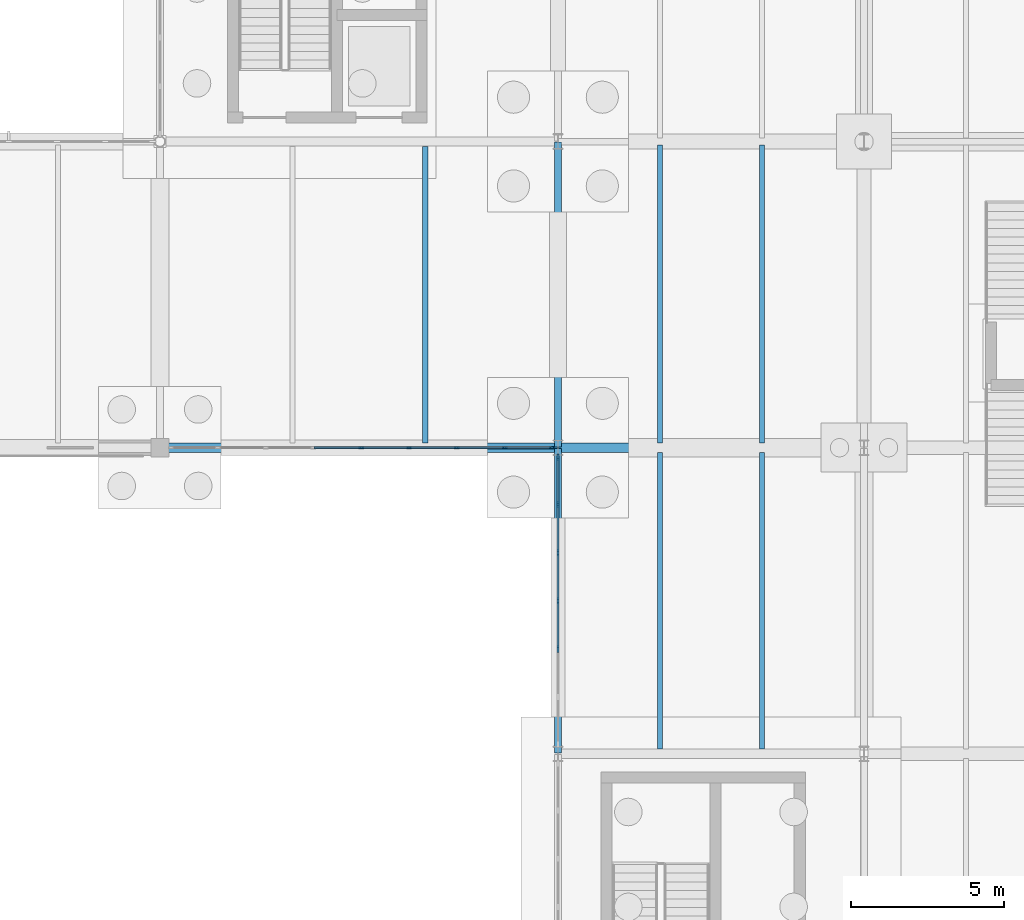
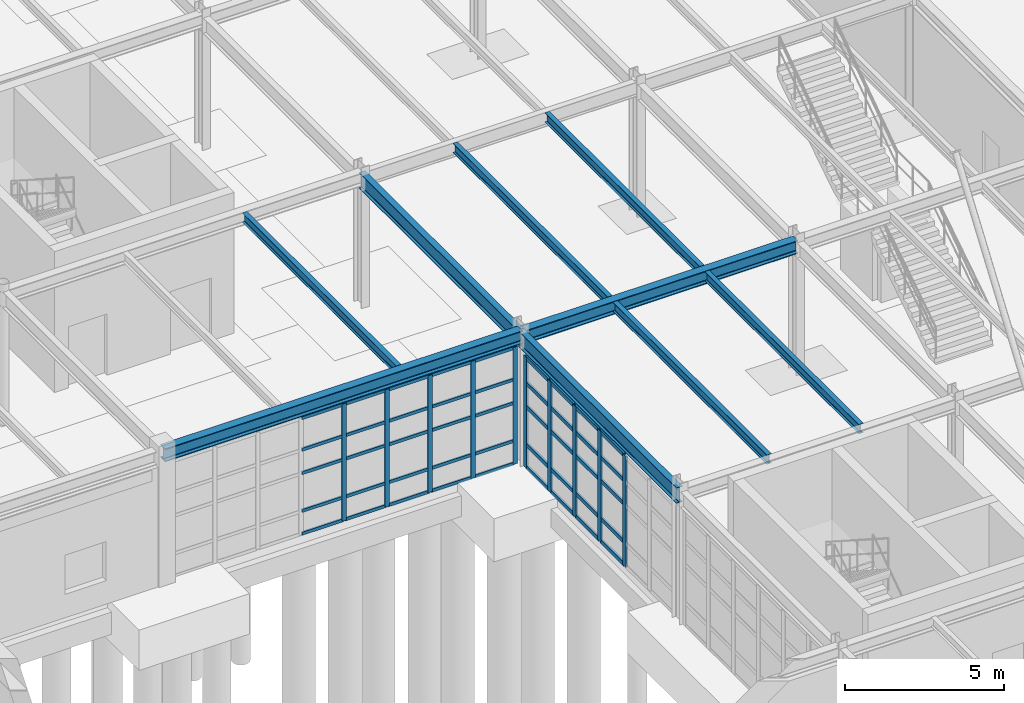
# One storey, part 50 of 145: 55 members, 9 beams, 2 elements without a shape of their own.
"""IFC4 building model written with IfcOpenShell, lengths in metres."""

from ifc_helpers import new_model, si_unit, direction, frame, origin, origin_2d, place, context, subcontext, project, spatial, rectangle, i_section, extrude, material, layer, layer_set, material_profile, profile_set, type_object, element, aggregate, save


model = new_model("IFC4")

# Units and contexts
model_context = context("Model", 3, precision=1e-05, world=origin(), true_north=direction((0.0, 1.0)))
body_context = subcontext(model_context, "Body", "Model", "MODEL_VIEW")
ifc_project = project(units=[si_unit("LENGTHUNIT", "METRE"), si_unit("AREAUNIT", "SQUARE_METRE"), si_unit("VOLUMEUNIT", "CUBIC_METRE"), si_unit("PLANEANGLEUNIT", "RADIAN"), si_unit("MASSUNIT", "GRAM", prefix="KILO"), si_unit("THERMODYNAMICTEMPERATUREUNIT", "KELVIN"), si_unit("POWERUNIT", "WATT")], contexts=[model_context])

# Site, building, storey
site_placement = place(None, origin())
site = spatial("IfcSite", under=ifc_project, at=site_placement, CompositionType="ELEMENT")
building_placement = place(site_placement, origin())
building = spatial("IfcBuilding", under=site, at=building_placement, Name="Korenveer Ferry Terminal", CompositionType="ELEMENT")
storey_placement = place(building_placement, origin())
storey = spatial("IfcBuildingStorey", under=building, at=storey_placement, Name="L00", CompositionType="ELEMENT", Elevation=0.0)

# Curtain wall, members
ifc_material_1 = material(Name="Unitised bronze-and-glass curtain wall", Category="glass")
ifc_layer_1 = layer(ifc_material_1, 0.159912109375)
ifc_layer_set_1 = layer_set([ifc_layer_1], Name="Unitised bronze-and-glass curtain wall")
curtain_wall_type_1 = type_object("IfcCurtainWallType", Name="ENV-CW-06", PredefinedType="USERDEFINED", material=ifc_layer_set_1)
curtain_wall_1_placement = place(storey_placement, frame((40.330078125, 70.0, 0.0)))
curtain_wall_1 = element("IfcCurtainWall", 1, at=curtain_wall_1_placement, inside=storey, type_object=curtain_wall_type_1, Name="Lancet curtain wall CWX-L00-X40-53-Y70-70", ObjectType="UNITISED CURTAIN WALL", PredefinedType="USERDEFINED")
ifc_material_2 = material(Name="Anodised bronze aluminium", Category="aluminium")
ifc_material_profile_1 = material_profile(ifc_material_2, rectangle(XDim=0.06005859375, YDim=0.159912109375, at=origin_2d()), Name="ALU 60x160")
ifc_profile_set_1 = profile_set([ifc_material_profile_1], Name="Anodised bronze aluminium")
member_type_1 = type_object("IfcMemberType", Name="ENV-CWM-60X160", PredefinedType="MULLION", material=ifc_profile_set_1)
member_1_placement = place(storey_placement, frame((46.574951171875, 70.0, 0.0), z_axis=(0.0, 0.0, 1.0), x_axis=(0.0, 1.0, 0.0)))
member_1 = element("IfcMember", 2, at=member_1_placement, type_object=member_type_1, Name="CW-06 mullion 5", PredefinedType="MULLION", context=body_context, shape_type="SweptSolid", body=[
    extrude(rectangle(XDim=0.06005859375, YDim=0.159912109375, at=origin_2d()), origin(), (0.0, 0.0, 1.0), 4.489990234375),
])
member_2_placement = place(storey_placement, frame((48.13623046875, 70.0, 0.0), z_axis=(0.0, 0.0, 1.0), x_axis=(0.0, 1.0, 0.0)))
member_2 = element("IfcMember", 3, at=member_2_placement, type_object=member_type_1, Name="CW-06 mullion 6", PredefinedType="MULLION", context=body_context, shape_type="SweptSolid", body=[
    extrude(rectangle(XDim=0.06005859375, YDim=0.159912109375, at=origin_2d()), origin(), (0.0, 0.0, 1.0), 4.489990234375),
])
member_3_placement = place(storey_placement, frame((49.697509765625, 70.0, 0.0), z_axis=(0.0, 0.0, 1.0), x_axis=(0.0, 1.0, 0.0)))
member_3 = element("IfcMember", 4, at=member_3_placement, type_object=member_type_1, Name="CW-06 mullion 7", PredefinedType="MULLION", context=body_context, shape_type="SweptSolid", body=[
    extrude(rectangle(XDim=0.06005859375, YDim=0.159912109375, at=origin_2d()), origin(), (0.0, 0.0, 1.0), 4.489990234375),
])
member_4_placement = place(storey_placement, frame((51.2587890625, 70.0, 0.0), z_axis=(0.0, 0.0, 1.0), x_axis=(0.0, 1.0, 0.0)))
member_4 = element("IfcMember", 5, at=member_4_placement, type_object=member_type_1, Name="CW-06 mullion 8", PredefinedType="MULLION", context=body_context, shape_type="SweptSolid", body=[
    extrude(rectangle(XDim=0.06005859375, YDim=0.159912109375, at=origin_2d()), origin(), (0.0, 0.0, 1.0), 4.489990234375),
])
member_5_placement = place(storey_placement, frame((52.7900390625, 70.0, 0.0), z_axis=(0.0, 0.0, 1.0), x_axis=(0.0, 1.0, 0.0)))
member_5 = element("IfcMember", 6, at=member_5_placement, type_object=member_type_1, Name="CW-06 mullion 9", PredefinedType="MULLION", context=body_context, shape_type="SweptSolid", body=[
    extrude(rectangle(XDim=0.06005859375, YDim=0.159912109375, at=origin_2d()), origin(), (0.0, 0.0, 1.0), 4.489990234375),
])

ifc_layer_2 = layer(ifc_material_1, 0.219970703125)
ifc_layer_set_2 = layer_set([ifc_layer_2], Name="Unitised bronze-and-glass curtain wall")
curtain_wall_type_2 = type_object("IfcCurtainWallType", Name="ENV-CW-27", PredefinedType="USERDEFINED", material=ifc_layer_set_2)
curtain_wall_2_placement = place(storey_placement, frame((53.0, 60.280029296875, 0.0)))
curtain_wall_2 = element("IfcCurtainWall", 7, at=curtain_wall_2_placement, inside=storey, type_object=curtain_wall_type_2, Name="Lancet curtain wall CWX-L00-X53-53-Y60-70", ObjectType="UNITISED CURTAIN WALL", PredefinedType="USERDEFINED")
ifc_material_profile_2 = material_profile(ifc_material_2, rectangle(XDim=0.074951171875, YDim=0.219970703125, at=origin_2d()), Name="ALU 75x220")
ifc_profile_set_2 = profile_set([ifc_material_profile_2], Name="Anodised bronze aluminium")
member_type_2 = type_object("IfcMemberType", Name="ENV-CWM-75X220", PredefinedType="MULLION", material=ifc_profile_set_2)
member_6_placement = place(storey_placement, frame((53.0, 63.4267578125, 0.0), z_axis=(0.0, 0.0, 1.0), x_axis=(-1.0, 0.0, 0.0)))
member_6 = element("IfcMember", 8, at=member_6_placement, type_object=member_type_2, Name="CW-27 mullion 3", PredefinedType="MULLION", context=body_context, shape_type="SweptSolid", body=[
    extrude(rectangle(XDim=0.074951171875, YDim=0.219970703125, at=origin_2d()), origin(), (0.0, 0.0, 1.0), 4.25),
])
member_7_placement = place(storey_placement, frame((53.0, 65.0, 0.0), z_axis=(0.0, 0.0, 1.0), x_axis=(-1.0, 0.0, 0.0)))
member_7 = element("IfcMember", 9, at=member_7_placement, type_object=member_type_2, Name="CW-27 mullion 4", PredefinedType="MULLION", context=body_context, shape_type="SweptSolid", body=[
    extrude(rectangle(XDim=0.074951171875, YDim=0.219970703125, at=origin_2d()), origin(), (0.0, 0.0, 1.0), 4.25),
])
member_8_placement = place(storey_placement, frame((53.0, 66.5732421875, 0.0), z_axis=(0.0, 0.0, 1.0), x_axis=(-1.0, 0.0, 0.0)))
member_8 = element("IfcMember", 10, at=member_8_placement, type_object=member_type_2, Name="CW-27 mullion 5", PredefinedType="MULLION", context=body_context, shape_type="SweptSolid", body=[
    extrude(rectangle(XDim=0.074951171875, YDim=0.219970703125, at=origin_2d()), origin(), (0.0, 0.0, 1.0), 4.25),
])
member_9_placement = place(storey_placement, frame((53.0, 68.146728515625, 0.0), z_axis=(0.0, 0.0, 1.0), x_axis=(-1.0, 0.0, 0.0)))
member_9 = element("IfcMember", 11, at=member_9_placement, type_object=member_type_2, Name="CW-27 mullion 6", PredefinedType="MULLION", context=body_context, shape_type="SweptSolid", body=[
    extrude(rectangle(XDim=0.074951171875, YDim=0.219970703125, at=origin_2d()), origin(), (0.0, 0.0, 1.0), 4.25),
])
member_10_placement = place(storey_placement, frame((53.0, 69.6826171875, 0.0), z_axis=(0.0, 0.0, 1.0), x_axis=(-1.0, 0.0, 0.0)))
member_10 = element("IfcMember", 12, at=member_10_placement, type_object=member_type_2, Name="CW-27 mullion 7", PredefinedType="MULLION", context=body_context, shape_type="SweptSolid", body=[
    extrude(rectangle(XDim=0.074951171875, YDim=0.219970703125, at=origin_2d()), origin(), (0.0, 0.0, 1.0), 4.25),
])

# Member
ifc_material_profile_3 = material_profile(ifc_material_2, rectangle(XDim=0.06005859375, YDim=0.1201171875, at=origin_2d()), Name="ALU 60x120")
ifc_profile_set_3 = profile_set([ifc_material_profile_3], Name="Anodised bronze aluminium")
member_type_3 = type_object("IfcMemberType", Name="ENV-CWT-60X120", PredefinedType="USERDEFINED", material=ifc_profile_set_3)
member_11_placement = place(storey_placement, frame((45.043701171875, 70.0, 0.030029296875), z_axis=(1.0, 0.0, 0.0), x_axis=(0.0, 1.0, 0.0)))
member_11 = element("IfcMember", 13, at=member_11_placement, type_object=member_type_3, Name="CW-06 transom 4.1", ObjectType="TRANSOM", PredefinedType="USERDEFINED", context=body_context, shape_type="SweptSolid", body=[
    extrude(rectangle(XDim=0.06005859375, YDim=0.1201171875, at=origin_2d()), origin(), (0.0, 0.0, 1.0), 1.501220703125),
])

member_12_placement = place(storey_placement, frame((45.043701171875, 70.0, 0.89990234375), z_axis=(1.0, 0.0, 0.0), x_axis=(0.0, 1.0, 0.0)))
member_12 = element("IfcMember", 14, at=member_12_placement, type_object=member_type_3, Name="CW-06 transom 4.2", ObjectType="TRANSOM", PredefinedType="USERDEFINED", context=body_context, shape_type="SweptSolid", body=[
    extrude(rectangle(XDim=0.06005859375, YDim=0.1201171875, at=origin_2d()), origin(), (0.0, 0.0, 1.0), 1.501220703125),
])

member_13_placement = place(storey_placement, frame((45.043701171875, 70.0, 2.35009765625), z_axis=(1.0, 0.0, 0.0), x_axis=(0.0, 1.0, 0.0)))
member_13 = element("IfcMember", 15, at=member_13_placement, type_object=member_type_3, Name="CW-06 transom 4.3", ObjectType="TRANSOM", PredefinedType="USERDEFINED", context=body_context, shape_type="SweptSolid", body=[
    extrude(rectangle(XDim=0.06005859375, YDim=0.1201171875, at=origin_2d()), origin(), (0.0, 0.0, 1.0), 1.501220703125),
])

member_14_placement = place(storey_placement, frame((45.043701171875, 70.0, 3.25), z_axis=(1.0, 0.0, 0.0), x_axis=(0.0, 1.0, 0.0)))
member_14 = element("IfcMember", 16, at=member_14_placement, type_object=member_type_3, Name="CW-06 transom 4.4", ObjectType="TRANSOM", PredefinedType="USERDEFINED", context=body_context, shape_type="SweptSolid", body=[
    extrude(rectangle(XDim=0.06005859375, YDim=0.1201171875, at=origin_2d()), origin(), (0.0, 0.0, 1.0), 1.501220703125),
])

member_15_placement = place(storey_placement, frame((45.043701171875, 70.0, 4.4599609375), z_axis=(1.0, 0.0, 0.0), x_axis=(0.0, 1.0, 0.0)))
member_15 = element("IfcMember", 17, at=member_15_placement, type_object=member_type_3, Name="CW-06 transom 4.5", ObjectType="TRANSOM", PredefinedType="USERDEFINED", context=body_context, shape_type="SweptSolid", body=[
    extrude(rectangle(XDim=0.06005859375, YDim=0.1201171875, at=origin_2d()), origin(), (0.0, 0.0, 1.0), 1.501220703125),
])

member_16_placement = place(storey_placement, frame((46.60498046875, 70.0, 0.030029296875), z_axis=(1.0, 0.0, 0.0), x_axis=(0.0, 1.0, 0.0)))
member_16 = element("IfcMember", 18, at=member_16_placement, type_object=member_type_3, Name="CW-06 transom 5.1", ObjectType="TRANSOM", PredefinedType="USERDEFINED", context=body_context, shape_type="SweptSolid", body=[
    extrude(rectangle(XDim=0.06005859375, YDim=0.1201171875, at=origin_2d()), origin(), (0.0, 0.0, 1.0), 1.501220703125),
])

member_17_placement = place(storey_placement, frame((46.60498046875, 70.0, 0.89990234375), z_axis=(1.0, 0.0, 0.0), x_axis=(0.0, 1.0, 0.0)))
member_17 = element("IfcMember", 19, at=member_17_placement, type_object=member_type_3, Name="CW-06 transom 5.2", ObjectType="TRANSOM", PredefinedType="USERDEFINED", context=body_context, shape_type="SweptSolid", body=[
    extrude(rectangle(XDim=0.06005859375, YDim=0.1201171875, at=origin_2d()), origin(), (0.0, 0.0, 1.0), 1.501220703125),
])

member_18_placement = place(storey_placement, frame((46.60498046875, 70.0, 2.35009765625), z_axis=(1.0, 0.0, 0.0), x_axis=(0.0, 1.0, 0.0)))
member_18 = element("IfcMember", 20, at=member_18_placement, type_object=member_type_3, Name="CW-06 transom 5.3", ObjectType="TRANSOM", PredefinedType="USERDEFINED", context=body_context, shape_type="SweptSolid", body=[
    extrude(rectangle(XDim=0.06005859375, YDim=0.1201171875, at=origin_2d()), origin(), (0.0, 0.0, 1.0), 1.501220703125),
])

member_19_placement = place(storey_placement, frame((46.60498046875, 70.0, 3.25), z_axis=(1.0, 0.0, 0.0), x_axis=(0.0, 1.0, 0.0)))
member_19 = element("IfcMember", 21, at=member_19_placement, type_object=member_type_3, Name="CW-06 transom 5.4", ObjectType="TRANSOM", PredefinedType="USERDEFINED", context=body_context, shape_type="SweptSolid", body=[
    extrude(rectangle(XDim=0.06005859375, YDim=0.1201171875, at=origin_2d()), origin(), (0.0, 0.0, 1.0), 1.501220703125),
])

member_20_placement = place(storey_placement, frame((46.60498046875, 70.0, 4.4599609375), z_axis=(1.0, 0.0, 0.0), x_axis=(0.0, 1.0, 0.0)))
member_20 = element("IfcMember", 22, at=member_20_placement, type_object=member_type_3, Name="CW-06 transom 5.5", ObjectType="TRANSOM", PredefinedType="USERDEFINED", context=body_context, shape_type="SweptSolid", body=[
    extrude(rectangle(XDim=0.06005859375, YDim=0.1201171875, at=origin_2d()), origin(), (0.0, 0.0, 1.0), 1.501220703125),
])

member_21_placement = place(storey_placement, frame((48.166259765625, 70.0, 0.030029296875), z_axis=(1.0, 0.0, 0.0), x_axis=(0.0, 1.0, 0.0)))
member_21 = element("IfcMember", 23, at=member_21_placement, type_object=member_type_3, Name="CW-06 transom 6.1", ObjectType="TRANSOM", PredefinedType="USERDEFINED", context=body_context, shape_type="SweptSolid", body=[
    extrude(rectangle(XDim=0.06005859375, YDim=0.1201171875, at=origin_2d()), origin(), (0.0, 0.0, 1.0), 1.501220703125),
])

member_22_placement = place(storey_placement, frame((48.166259765625, 70.0, 0.89990234375), z_axis=(1.0, 0.0, 0.0), x_axis=(0.0, 1.0, 0.0)))
member_22 = element("IfcMember", 24, at=member_22_placement, type_object=member_type_3, Name="CW-06 transom 6.2", ObjectType="TRANSOM", PredefinedType="USERDEFINED", context=body_context, shape_type="SweptSolid", body=[
    extrude(rectangle(XDim=0.06005859375, YDim=0.1201171875, at=origin_2d()), origin(), (0.0, 0.0, 1.0), 1.501220703125),
])

member_23_placement = place(storey_placement, frame((48.166259765625, 70.0, 2.35009765625), z_axis=(1.0, 0.0, 0.0), x_axis=(0.0, 1.0, 0.0)))
member_23 = element("IfcMember", 25, at=member_23_placement, type_object=member_type_3, Name="CW-06 transom 6.3", ObjectType="TRANSOM", PredefinedType="USERDEFINED", context=body_context, shape_type="SweptSolid", body=[
    extrude(rectangle(XDim=0.06005859375, YDim=0.1201171875, at=origin_2d()), origin(), (0.0, 0.0, 1.0), 1.501220703125),
])

member_24_placement = place(storey_placement, frame((48.166259765625, 70.0, 3.25), z_axis=(1.0, 0.0, 0.0), x_axis=(0.0, 1.0, 0.0)))
member_24 = element("IfcMember", 26, at=member_24_placement, type_object=member_type_3, Name="CW-06 transom 6.4", ObjectType="TRANSOM", PredefinedType="USERDEFINED", context=body_context, shape_type="SweptSolid", body=[
    extrude(rectangle(XDim=0.06005859375, YDim=0.1201171875, at=origin_2d()), origin(), (0.0, 0.0, 1.0), 1.501220703125),
])

member_25_placement = place(storey_placement, frame((48.166259765625, 70.0, 4.4599609375), z_axis=(1.0, 0.0, 0.0), x_axis=(0.0, 1.0, 0.0)))
member_25 = element("IfcMember", 27, at=member_25_placement, type_object=member_type_3, Name="CW-06 transom 6.5", ObjectType="TRANSOM", PredefinedType="USERDEFINED", context=body_context, shape_type="SweptSolid", body=[
    extrude(rectangle(XDim=0.06005859375, YDim=0.1201171875, at=origin_2d()), origin(), (0.0, 0.0, 1.0), 1.501220703125),
])

member_26_placement = place(storey_placement, frame((49.7275390625, 70.0, 0.030029296875), z_axis=(1.0, 0.0, 0.0), x_axis=(0.0, 1.0, 0.0)))
member_26 = element("IfcMember", 28, at=member_26_placement, type_object=member_type_3, Name="CW-06 transom 7.1", ObjectType="TRANSOM", PredefinedType="USERDEFINED", context=body_context, shape_type="SweptSolid", body=[
    extrude(rectangle(XDim=0.06005859375, YDim=0.1201171875, at=origin_2d()), origin(), (0.0, 0.0, 1.0), 1.501220703125),
])

member_27_placement = place(storey_placement, frame((49.7275390625, 70.0, 0.89990234375), z_axis=(1.0, 0.0, 0.0), x_axis=(0.0, 1.0, 0.0)))
member_27 = element("IfcMember", 29, at=member_27_placement, type_object=member_type_3, Name="CW-06 transom 7.2", ObjectType="TRANSOM", PredefinedType="USERDEFINED", context=body_context, shape_type="SweptSolid", body=[
    extrude(rectangle(XDim=0.06005859375, YDim=0.1201171875, at=origin_2d()), origin(), (0.0, 0.0, 1.0), 1.501220703125),
])

member_28_placement = place(storey_placement, frame((49.7275390625, 70.0, 2.35009765625), z_axis=(1.0, 0.0, 0.0), x_axis=(0.0, 1.0, 0.0)))
member_28 = element("IfcMember", 30, at=member_28_placement, type_object=member_type_3, Name="CW-06 transom 7.3", ObjectType="TRANSOM", PredefinedType="USERDEFINED", context=body_context, shape_type="SweptSolid", body=[
    extrude(rectangle(XDim=0.06005859375, YDim=0.1201171875, at=origin_2d()), origin(), (0.0, 0.0, 1.0), 1.501220703125),
])

member_29_placement = place(storey_placement, frame((49.7275390625, 70.0, 3.25), z_axis=(1.0, 0.0, 0.0), x_axis=(0.0, 1.0, 0.0)))
member_29 = element("IfcMember", 31, at=member_29_placement, type_object=member_type_3, Name="CW-06 transom 7.4", ObjectType="TRANSOM", PredefinedType="USERDEFINED", context=body_context, shape_type="SweptSolid", body=[
    extrude(rectangle(XDim=0.06005859375, YDim=0.1201171875, at=origin_2d()), origin(), (0.0, 0.0, 1.0), 1.501220703125),
])

member_30_placement = place(storey_placement, frame((49.7275390625, 70.0, 4.4599609375), z_axis=(1.0, 0.0, 0.0), x_axis=(0.0, 1.0, 0.0)))
member_30 = element("IfcMember", 32, at=member_30_placement, type_object=member_type_3, Name="CW-06 transom 7.5", ObjectType="TRANSOM", PredefinedType="USERDEFINED", context=body_context, shape_type="SweptSolid", body=[
    extrude(rectangle(XDim=0.06005859375, YDim=0.1201171875, at=origin_2d()), origin(), (0.0, 0.0, 1.0), 1.501220703125),
])

member_31_placement = place(storey_placement, frame((51.288818359375, 70.0, 0.030029296875), z_axis=(1.0, 0.0, 0.0), x_axis=(0.0, 1.0, 0.0)))
member_31 = element("IfcMember", 33, at=member_31_placement, type_object=member_type_3, Name="CW-06 transom 8.1", ObjectType="TRANSOM", PredefinedType="USERDEFINED", context=body_context, shape_type="SweptSolid", body=[
    extrude(rectangle(XDim=0.06005859375, YDim=0.1201171875, at=origin_2d()), origin(), (0.0, 0.0, 1.0), 1.47119140625),
])

member_32_placement = place(storey_placement, frame((51.288818359375, 70.0, 0.89990234375), z_axis=(1.0, 0.0, 0.0), x_axis=(0.0, 1.0, 0.0)))
member_32 = element("IfcMember", 34, at=member_32_placement, type_object=member_type_3, Name="CW-06 transom 8.2", ObjectType="TRANSOM", PredefinedType="USERDEFINED", context=body_context, shape_type="SweptSolid", body=[
    extrude(rectangle(XDim=0.06005859375, YDim=0.1201171875, at=origin_2d()), origin(), (0.0, 0.0, 1.0), 1.47119140625),
])

member_33_placement = place(storey_placement, frame((51.288818359375, 70.0, 2.35009765625), z_axis=(1.0, 0.0, 0.0), x_axis=(0.0, 1.0, 0.0)))
member_33 = element("IfcMember", 35, at=member_33_placement, type_object=member_type_3, Name="CW-06 transom 8.3", ObjectType="TRANSOM", PredefinedType="USERDEFINED", context=body_context, shape_type="SweptSolid", body=[
    extrude(rectangle(XDim=0.06005859375, YDim=0.1201171875, at=origin_2d()), origin(), (0.0, 0.0, 1.0), 1.47119140625),
])

member_34_placement = place(storey_placement, frame((51.288818359375, 70.0, 3.25), z_axis=(1.0, 0.0, 0.0), x_axis=(0.0, 1.0, 0.0)))
member_34 = element("IfcMember", 36, at=member_34_placement, type_object=member_type_3, Name="CW-06 transom 8.4", ObjectType="TRANSOM", PredefinedType="USERDEFINED", context=body_context, shape_type="SweptSolid", body=[
    extrude(rectangle(XDim=0.06005859375, YDim=0.1201171875, at=origin_2d()), origin(), (0.0, 0.0, 1.0), 1.47119140625),
])

member_35_placement = place(storey_placement, frame((51.288818359375, 70.0, 4.4599609375), z_axis=(1.0, 0.0, 0.0), x_axis=(0.0, 1.0, 0.0)))
member_35 = element("IfcMember", 37, at=member_35_placement, type_object=member_type_3, Name="CW-06 transom 8.5", ObjectType="TRANSOM", PredefinedType="USERDEFINED", context=body_context, shape_type="SweptSolid", body=[
    extrude(rectangle(XDim=0.06005859375, YDim=0.1201171875, at=origin_2d()), origin(), (0.0, 0.0, 1.0), 1.47119140625),
])

aggregate(curtain_wall_1, [member_1, member_2, member_3, member_4, member_5, member_11, member_12, member_13, member_14, member_15, member_16, member_17, member_18, member_19, member_20, member_21, member_22, member_23, member_24, member_25, member_26, member_27, member_28, member_29, member_30, member_31, member_32, member_33, member_34, member_35])

ifc_material_profile_4 = material_profile(ifc_material_2, rectangle(XDim=0.074951171875, YDim=0.14990234375, at=origin_2d()), Name="ALU 75x150")
ifc_profile_set_4 = profile_set([ifc_material_profile_4], Name="Anodised bronze aluminium")
member_type_4 = type_object("IfcMemberType", Name="ENV-CWT-75X150", PredefinedType="USERDEFINED", material=ifc_profile_set_4)
member_36_placement = place(storey_placement, frame((53.0, 63.464111328125, 0.03759765625), z_axis=(0.0, 1.0, 0.0), x_axis=(-1.0, 0.0, 0.0)))
member_36 = element("IfcMember", 38, at=member_36_placement, type_object=member_type_4, Name="CW-27 transom 3.1", ObjectType="TRANSOM", PredefinedType="USERDEFINED", context=body_context, shape_type="SweptSolid", body=[
    extrude(rectangle(XDim=0.074951171875, YDim=0.14990234375, at=origin_2d()), origin(), (0.0, 0.0, 1.0), 1.498291015625),
])

member_37_placement = place(storey_placement, frame((53.0, 63.464111328125, 0.89990234375), z_axis=(0.0, 1.0, 0.0), x_axis=(-1.0, 0.0, 0.0)))
member_37 = element("IfcMember", 39, at=member_37_placement, type_object=member_type_4, Name="CW-27 transom 3.2", ObjectType="TRANSOM", PredefinedType="USERDEFINED", context=body_context, shape_type="SweptSolid", body=[
    extrude(rectangle(XDim=0.074951171875, YDim=0.14990234375, at=origin_2d()), origin(), (0.0, 0.0, 1.0), 1.498291015625),
])

member_38_placement = place(storey_placement, frame((53.0, 63.464111328125, 2.35009765625), z_axis=(0.0, 1.0, 0.0), x_axis=(-1.0, 0.0, 0.0)))
member_38 = element("IfcMember", 40, at=member_38_placement, type_object=member_type_4, Name="CW-27 transom 3.3", ObjectType="TRANSOM", PredefinedType="USERDEFINED", context=body_context, shape_type="SweptSolid", body=[
    extrude(rectangle(XDim=0.074951171875, YDim=0.14990234375, at=origin_2d()), origin(), (0.0, 0.0, 1.0), 1.498291015625),
])

member_39_placement = place(storey_placement, frame((53.0, 63.464111328125, 3.25), z_axis=(0.0, 1.0, 0.0), x_axis=(-1.0, 0.0, 0.0)))
member_39 = element("IfcMember", 41, at=member_39_placement, type_object=member_type_4, Name="CW-27 transom 3.4", ObjectType="TRANSOM", PredefinedType="USERDEFINED", context=body_context, shape_type="SweptSolid", body=[
    extrude(rectangle(XDim=0.074951171875, YDim=0.14990234375, at=origin_2d()), origin(), (0.0, 0.0, 1.0), 1.498291015625),
])

member_40_placement = place(storey_placement, frame((53.0, 63.464111328125, 4.21240234375), z_axis=(0.0, 1.0, 0.0), x_axis=(-1.0, 0.0, 0.0)))
member_40 = element("IfcMember", 42, at=member_40_placement, type_object=member_type_4, Name="CW-27 transom 3.5", ObjectType="TRANSOM", PredefinedType="USERDEFINED", context=body_context, shape_type="SweptSolid", body=[
    extrude(rectangle(XDim=0.074951171875, YDim=0.14990234375, at=origin_2d()), origin(), (0.0, 0.0, 1.0), 1.498291015625),
])

member_41_placement = place(storey_placement, frame((53.0, 65.03759765625, 0.03759765625), z_axis=(0.0, 1.0, 0.0), x_axis=(-1.0, 0.0, 0.0)))
member_41 = element("IfcMember", 43, at=member_41_placement, type_object=member_type_4, Name="CW-27 transom 4.1", ObjectType="TRANSOM", PredefinedType="USERDEFINED", context=body_context, shape_type="SweptSolid", body=[
    extrude(rectangle(XDim=0.074951171875, YDim=0.14990234375, at=origin_2d()), origin(), (0.0, 0.0, 1.0), 1.498291015625),
])

member_42_placement = place(storey_placement, frame((53.0, 65.03759765625, 0.89990234375), z_axis=(0.0, 1.0, 0.0), x_axis=(-1.0, 0.0, 0.0)))
member_42 = element("IfcMember", 44, at=member_42_placement, type_object=member_type_4, Name="CW-27 transom 4.2", ObjectType="TRANSOM", PredefinedType="USERDEFINED", context=body_context, shape_type="SweptSolid", body=[
    extrude(rectangle(XDim=0.074951171875, YDim=0.14990234375, at=origin_2d()), origin(), (0.0, 0.0, 1.0), 1.498291015625),
])

member_43_placement = place(storey_placement, frame((53.0, 65.03759765625, 2.35009765625), z_axis=(0.0, 1.0, 0.0), x_axis=(-1.0, 0.0, 0.0)))
member_43 = element("IfcMember", 45, at=member_43_placement, type_object=member_type_4, Name="CW-27 transom 4.3", ObjectType="TRANSOM", PredefinedType="USERDEFINED", context=body_context, shape_type="SweptSolid", body=[
    extrude(rectangle(XDim=0.074951171875, YDim=0.14990234375, at=origin_2d()), origin(), (0.0, 0.0, 1.0), 1.498291015625),
])

member_44_placement = place(storey_placement, frame((53.0, 65.03759765625, 3.25), z_axis=(0.0, 1.0, 0.0), x_axis=(-1.0, 0.0, 0.0)))
member_44 = element("IfcMember", 46, at=member_44_placement, type_object=member_type_4, Name="CW-27 transom 4.4", ObjectType="TRANSOM", PredefinedType="USERDEFINED", context=body_context, shape_type="SweptSolid", body=[
    extrude(rectangle(XDim=0.074951171875, YDim=0.14990234375, at=origin_2d()), origin(), (0.0, 0.0, 1.0), 1.498291015625),
])

member_45_placement = place(storey_placement, frame((53.0, 65.03759765625, 4.21240234375), z_axis=(0.0, 1.0, 0.0), x_axis=(-1.0, 0.0, 0.0)))
member_45 = element("IfcMember", 47, at=member_45_placement, type_object=member_type_4, Name="CW-27 transom 4.5", ObjectType="TRANSOM", PredefinedType="USERDEFINED", context=body_context, shape_type="SweptSolid", body=[
    extrude(rectangle(XDim=0.074951171875, YDim=0.14990234375, at=origin_2d()), origin(), (0.0, 0.0, 1.0), 1.498291015625),
])

member_46_placement = place(storey_placement, frame((53.0, 66.61083984375, 0.03759765625), z_axis=(0.0, 1.0, 0.0), x_axis=(-1.0, 0.0, 0.0)))
member_46 = element("IfcMember", 48, at=member_46_placement, type_object=member_type_4, Name="CW-27 transom 5.1", ObjectType="TRANSOM", PredefinedType="USERDEFINED", context=body_context, shape_type="SweptSolid", body=[
    extrude(rectangle(XDim=0.074951171875, YDim=0.14990234375, at=origin_2d()), origin(), (0.0, 0.0, 1.0), 1.498291015625),
])

member_47_placement = place(storey_placement, frame((53.0, 66.61083984375, 0.89990234375), z_axis=(0.0, 1.0, 0.0), x_axis=(-1.0, 0.0, 0.0)))
member_47 = element("IfcMember", 49, at=member_47_placement, type_object=member_type_4, Name="CW-27 transom 5.2", ObjectType="TRANSOM", PredefinedType="USERDEFINED", context=body_context, shape_type="SweptSolid", body=[
    extrude(rectangle(XDim=0.074951171875, YDim=0.14990234375, at=origin_2d()), origin(), (0.0, 0.0, 1.0), 1.498291015625),
])

member_48_placement = place(storey_placement, frame((53.0, 66.61083984375, 2.35009765625), z_axis=(0.0, 1.0, 0.0), x_axis=(-1.0, 0.0, 0.0)))
member_48 = element("IfcMember", 50, at=member_48_placement, type_object=member_type_4, Name="CW-27 transom 5.3", ObjectType="TRANSOM", PredefinedType="USERDEFINED", context=body_context, shape_type="SweptSolid", body=[
    extrude(rectangle(XDim=0.074951171875, YDim=0.14990234375, at=origin_2d()), origin(), (0.0, 0.0, 1.0), 1.498291015625),
])

member_49_placement = place(storey_placement, frame((53.0, 66.61083984375, 3.25), z_axis=(0.0, 1.0, 0.0), x_axis=(-1.0, 0.0, 0.0)))
member_49 = element("IfcMember", 51, at=member_49_placement, type_object=member_type_4, Name="CW-27 transom 5.4", ObjectType="TRANSOM", PredefinedType="USERDEFINED", context=body_context, shape_type="SweptSolid", body=[
    extrude(rectangle(XDim=0.074951171875, YDim=0.14990234375, at=origin_2d()), origin(), (0.0, 0.0, 1.0), 1.498291015625),
])

member_50_placement = place(storey_placement, frame((53.0, 66.61083984375, 4.21240234375), z_axis=(0.0, 1.0, 0.0), x_axis=(-1.0, 0.0, 0.0)))
member_50 = element("IfcMember", 52, at=member_50_placement, type_object=member_type_4, Name="CW-27 transom 5.5", ObjectType="TRANSOM", PredefinedType="USERDEFINED", context=body_context, shape_type="SweptSolid", body=[
    extrude(rectangle(XDim=0.074951171875, YDim=0.14990234375, at=origin_2d()), origin(), (0.0, 0.0, 1.0), 1.498291015625),
])

member_51_placement = place(storey_placement, frame((53.0, 68.18408203125, 0.03759765625), z_axis=(0.0, 1.0, 0.0), x_axis=(-1.0, 0.0, 0.0)))
member_51 = element("IfcMember", 53, at=member_51_placement, type_object=member_type_4, Name="CW-27 transom 6.1", ObjectType="TRANSOM", PredefinedType="USERDEFINED", context=body_context, shape_type="SweptSolid", body=[
    extrude(rectangle(XDim=0.074951171875, YDim=0.14990234375, at=origin_2d()), origin(), (0.0, 0.0, 1.0), 1.4609375),
])

member_52_placement = place(storey_placement, frame((53.0, 68.18408203125, 0.89990234375), z_axis=(0.0, 1.0, 0.0), x_axis=(-1.0, 0.0, 0.0)))
member_52 = element("IfcMember", 54, at=member_52_placement, type_object=member_type_4, Name="CW-27 transom 6.2", ObjectType="TRANSOM", PredefinedType="USERDEFINED", context=body_context, shape_type="SweptSolid", body=[
    extrude(rectangle(XDim=0.074951171875, YDim=0.14990234375, at=origin_2d()), origin(), (0.0, 0.0, 1.0), 1.4609375),
])

member_53_placement = place(storey_placement, frame((53.0, 68.18408203125, 2.35009765625), z_axis=(0.0, 1.0, 0.0), x_axis=(-1.0, 0.0, 0.0)))
member_53 = element("IfcMember", 55, at=member_53_placement, type_object=member_type_4, Name="CW-27 transom 6.3", ObjectType="TRANSOM", PredefinedType="USERDEFINED", context=body_context, shape_type="SweptSolid", body=[
    extrude(rectangle(XDim=0.074951171875, YDim=0.14990234375, at=origin_2d()), origin(), (0.0, 0.0, 1.0), 1.4609375),
])

member_54_placement = place(storey_placement, frame((53.0, 68.18408203125, 3.25), z_axis=(0.0, 1.0, 0.0), x_axis=(-1.0, 0.0, 0.0)))
member_54 = element("IfcMember", 56, at=member_54_placement, type_object=member_type_4, Name="CW-27 transom 6.4", ObjectType="TRANSOM", PredefinedType="USERDEFINED", context=body_context, shape_type="SweptSolid", body=[
    extrude(rectangle(XDim=0.074951171875, YDim=0.14990234375, at=origin_2d()), origin(), (0.0, 0.0, 1.0), 1.4609375),
])

member_55_placement = place(storey_placement, frame((53.0, 68.18408203125, 4.21240234375), z_axis=(0.0, 1.0, 0.0), x_axis=(-1.0, 0.0, 0.0)))
member_55 = element("IfcMember", 57, at=member_55_placement, type_object=member_type_4, Name="CW-27 transom 6.5", ObjectType="TRANSOM", PredefinedType="USERDEFINED", context=body_context, shape_type="SweptSolid", body=[
    extrude(rectangle(XDim=0.074951171875, YDim=0.14990234375, at=origin_2d()), origin(), (0.0, 0.0, 1.0), 1.4609375),
])

aggregate(curtain_wall_2, [member_6, member_7, member_8, member_9, member_10, member_36, member_37, member_38, member_39, member_40, member_41, member_42, member_43, member_44, member_45, member_46, member_47, member_48, member_49, member_50, member_51, member_52, member_53, member_54, member_55])

# Beams
ifc_material_3 = material(Name="Steel S355", Category="steel")
ifc_material_profile_5 = material_profile(ifc_material_3, i_section(OverallWidth=0.300048828125, OverallDepth=0.5, WebThickness=0.014404296875, FlangeThickness=0.028076171875, FilletRadius=0.027099609375, at=origin_2d()), Name="HEB 500")
ifc_profile_set_5 = profile_set([ifc_material_profile_5], Name="Steel S355")
beam_type_1 = type_object("IfcBeamType", Name="STR-BM-HEB500", PredefinedType="BEAM", material=ifc_profile_set_5)
beam_1_placement = place(storey_placement, frame((40.02001953125, 70.0, 4.8701171875), z_axis=(1.0, 0.0, 0.0), x_axis=(0.0, 1.0, 0.0)))
element("IfcBeam", 58, at=beam_1_placement, inside=storey, type_object=beam_type_1, Name="Primary X girder BMX-L01-X40-53-Y70", PredefinedType="BEAM", context=body_context, shape_type="SweptSolid", body=[
    extrude(i_section(OverallWidth=0.300048828125, OverallDepth=0.5, WebThickness=0.014404296875, FlangeThickness=0.028076171875, FilletRadius=0.027099609375, at=origin_2d()), origin(), (0.0, 0.0, 1.0), 12.9599609375),
])
beam_2_placement = place(storey_placement, frame((53.02001953125, 70.0, 4.830078125), z_axis=(1.0, 0.0, 0.0), x_axis=(0.0, 1.0, 0.0)))
element("IfcBeam", 59, at=beam_2_placement, inside=storey, type_object=beam_type_1, Name="Primary X girder BMX-L01-X53-63-Y70", PredefinedType="BEAM", context=body_context, shape_type="SweptSolid", body=[
    extrude(i_section(OverallWidth=0.300048828125, OverallDepth=0.5, WebThickness=0.014404296875, FlangeThickness=0.028076171875, FilletRadius=0.027099609375, at=origin_2d()), origin(), (0.0, 0.0, 1.0), 9.9599609375),
])
ifc_material_profile_6 = material_profile(ifc_material_3, i_section(OverallWidth=0.219970703125, OverallDepth=0.60009765625, WebThickness=0.011962890625, FlangeThickness=0.01904296875, FilletRadius=0.02392578125, at=origin_2d()), Name="IPE 600")
ifc_profile_set_6 = profile_set([ifc_material_profile_6], Name="Steel S355")
beam_type_2 = type_object("IfcBeamType", Name="STR-BM-IPE600", PredefinedType="BEAM", material=ifc_profile_set_6)
for number, where, z_axis, x_axis, name in (
    (60, (53.0, 60.02001953125, 4.780029296875), (0.0, 1.0, 0.0), (-1.0, 0.0, 0.0), "Primary Y girder BMY-L01-X53-Y60-70"),
    (61, (53.0, 70.02001953125, 4.780029296875), (0.0, 1.0, 0.0), (-1.0, 0.0, 0.0), "Primary Y girder BMY-L01-X53-Y70-80"),
):
    element("IfcBeam", number, at=place(storey_placement, frame(where, z_axis=z_axis, x_axis=x_axis)), inside=storey, type_object=beam_type_2, Name=name, PredefinedType="BEAM", context=body_context, shape_type="SweptSolid", body=[
        extrude(i_section(OverallWidth=0.219970703125, OverallDepth=0.60009765625, WebThickness=0.011962890625, FlangeThickness=0.01904296875, FilletRadius=0.02392578125, at=origin_2d()), origin(), (0.0, 0.0, 1.0), 9.9599609375),
    ])
ifc_material_profile_7 = material_profile(ifc_material_3, i_section(OverallWidth=0.169921875, OverallDepth=0.360107421875, WebThickness=0.008056640625, FlangeThickness=0.0126953125, FilletRadius=0.01806640625, at=origin_2d()), Name="IPE 360")
ifc_profile_set_7 = profile_set([ifc_material_profile_7], Name="Steel S355")
beam_type_3 = type_object("IfcBeamType", Name="STR-JST-IPE360", PredefinedType="JOIST", material=ifc_profile_set_7)
for number, where, z_axis, x_axis, name in (
    (62, (48.666748046875, 70.159912109375, 4.93994140625), (0.0, 1.0, 0.0), (-1.0, 0.0, 0.0), "Secondary composite joist JST-L01-X487-Y70-80"),
    (63, (56.333251953125, 60.159912109375, 4.89990234375), (0.0, 1.0, 0.0), (-1.0, 0.0, 0.0), "Secondary composite joist JST-L01-X563-Y60-70"),
    (64, (59.666748046875, 60.159912109375, 4.89990234375), (0.0, 1.0, 0.0), (-1.0, 0.0, 0.0), "Secondary composite joist JST-L01-X597-Y60-70"),
):
    element("IfcBeam", number, at=place(storey_placement, frame(where, z_axis=z_axis, x_axis=x_axis)), inside=storey, type_object=beam_type_3, Name=name, PredefinedType="JOIST", context=body_context, shape_type="SweptSolid", body=[
        extrude(i_section(OverallWidth=0.169921875, OverallDepth=0.360107421875, WebThickness=0.008056640625, FlangeThickness=0.0126953125, FilletRadius=0.01806640625, at=origin_2d()), origin(), (0.0, 0.0, 1.0), 9.68017578125),
    ])
for number, where, z_axis, x_axis, name in (
    (65, (56.333251953125, 70.159912109375, 4.89990234375), (0.0, 1.0, 0.0), (-1.0, 0.0, 0.0), "Secondary composite joist JST-L01-X563-Y70-80"),
    (66, (59.666748046875, 70.159912109375, 4.89990234375), (0.0, 1.0, 0.0), (-1.0, 0.0, 0.0), "Secondary composite joist JST-L01-X597-Y70-80"),
):
    element("IfcBeam", number, at=place(storey_placement, frame(where, z_axis=z_axis, x_axis=x_axis)), inside=storey, type_object=beam_type_3, Name=name, PredefinedType="JOIST", context=body_context, shape_type="SweptSolid", body=[
        extrude(i_section(OverallWidth=0.169921875, OverallDepth=0.360107421875, WebThickness=0.008056640625, FlangeThickness=0.0126953125, FilletRadius=0.01806640625, at=origin_2d()), origin(), (0.0, 0.0, 1.0), 9.72509765625),
    ])

save(model, "model.ifc")
